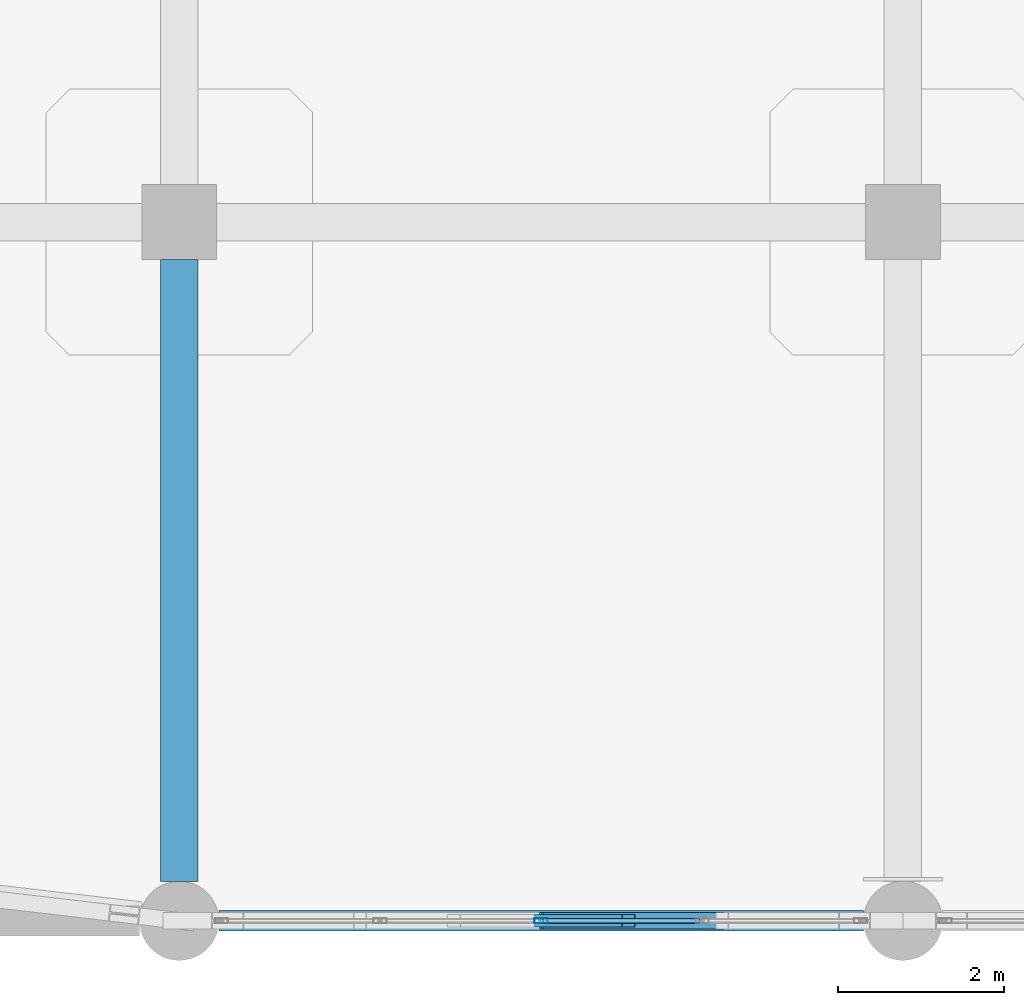
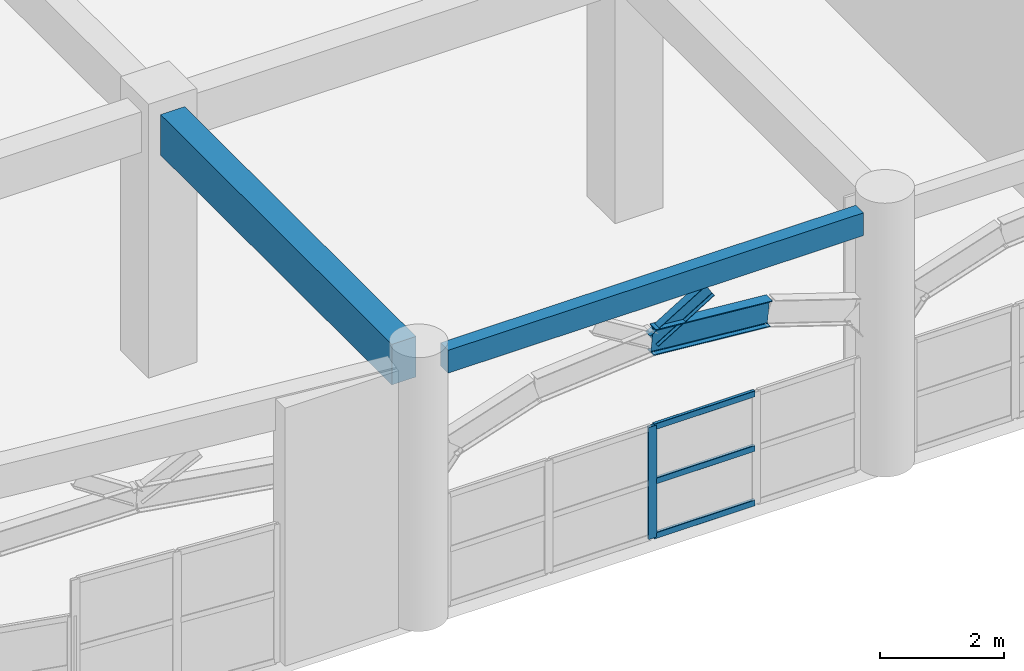
# One storey, part 6 of 114: 5 members, 3 beams, 1 element without a shape of its own.
"""IFC4 building model written with IfcOpenShell, lengths in metres."""

from ifc_helpers import new_model, si_unit, derived_unit, direction, frame, origin, origin_2d, place, context, subcontext, project, spatial, rectangle, hollow_rectangle, i_section, extrude, material, layer, layer_set, material_profile, profile_set, type_object, element, aggregate, save


model = new_model("IFC4")

# Units and contexts
model_context = context("Model", 3, precision=1e-05, world=origin(), true_north=direction((0.0, 1.0)))
body_context = subcontext(model_context, "Body", "Model", "MODEL_VIEW")
ifc_project = project(units=[si_unit("LENGTHUNIT", "METRE"), si_unit("AREAUNIT", "SQUARE_METRE"), si_unit("VOLUMEUNIT", "CUBIC_METRE"), si_unit("PLANEANGLEUNIT", "RADIAN"), si_unit("MASSUNIT", "GRAM", prefix="KILO"), derived_unit("THERMALTRANSMITTANCEUNIT", [(si_unit("MASSUNIT", "GRAM", prefix="KILO"), 1), (si_unit("TIMEUNIT", "SECOND"), -3), (si_unit("THERMODYNAMICTEMPERATUREUNIT", "KELVIN"), -1)])], contexts=[model_context])

# Site, building, storey
site_placement = place(None, origin())
site = spatial("IfcSite", under=ifc_project, at=site_placement, CompositionType="ELEMENT")
building_placement = place(site_placement, origin())
building = spatial("IfcBuilding", under=site, at=building_placement, Name="Qinzheling Arcade Emporium", CompositionType="ELEMENT")
storey_placement = place(building_placement, frame((0.0, 0.0, 6.0)))
storey = spatial("IfcBuildingStorey", under=building, at=storey_placement, Name="L02", CompositionType="ELEMENT", Elevation=6.0)

# Beam
ifc_material_1 = material(Name="Weathering steel Q355NH", Category="steel")
ifc_material_profile_1 = material_profile(ifc_material_1, i_section(OverallWidth=0.199951171875, OverallDepth=0.5, WebThickness=0.010009765625, FlangeThickness=0.01611328125, FilletRadius=0.01806640625, at=origin_2d()), Name="HN 500x200x10x16", Category="steel")
ifc_profile_set_1 = profile_set([ifc_material_profile_1], Name="Weathering steel Q355NH")
beam_type_1 = type_object("IfcBeamType", Name="Arcade End Arch Rib HN500 Q355NH", PredefinedType="BEAM", material=ifc_profile_set_1)
beam_1_placement = place(storey_placement, frame((30.449951171875, 0.0, 3.89990234375), z_axis=(0.9961697702, 0.0, -0.087440202076), x_axis=(0.0, 1.0, 0.0)))
element("IfcBeam", 1, at=beam_1_placement, inside=storey, type_object=beam_type_1, Name="Street Entrance Arch ARC-L02-S01-C04", PredefinedType="BEAM", context=body_context, shape_type="SweptSolid", body=[
    extrude(i_section(OverallWidth=0.199951171875, OverallDepth=0.5, WebThickness=0.010009765625, FlangeThickness=0.01611328125, FilletRadius=0.01806640625, at=origin_2d()), origin(), (0.0, 0.0, 1.0), 2.183349609375),
])

# Member
ifc_material_profile_2 = material_profile(ifc_material_1, i_section(OverallWidth=0.14990234375, OverallDepth=0.300048828125, WebThickness=0.006591796875, FlangeThickness=0.009033203125, FilletRadius=0.012939453125, at=origin_2d()), Name="HN 300x150x6.5x9", Category="steel")
ifc_profile_set_2 = profile_set([ifc_material_profile_2], Name="Weathering steel Q355NH")
member_type_1 = type_object("IfcMemberType", Name="Arcade Spandrel Web Chord HN300 Q355NH", PredefinedType="CHORD", material=ifc_profile_set_2)
member_1_placement = place(storey_placement, frame((30.449951171875, 0.0, 3.909912109375), z_axis=(0.853845673448, 0.0, 0.520526239428), x_axis=(0.0, 1.0, 0.0)))
element("IfcMember", 2, at=member_1_placement, inside=storey, type_object=member_type_1, Name="Street Spandrel Web Chord ASW-L02-S01-W2", PredefinedType="CHORD", context=body_context, shape_type="SweptSolid", body=[
    extrude(i_section(OverallWidth=0.14990234375, OverallDepth=0.300048828125, WebThickness=0.006591796875, FlangeThickness=0.009033203125, FilletRadius=0.012939453125, at=origin_2d()), origin(), (0.0, 0.0, 1.0), 1.229736328125),
])

# Curtain wall, members
ifc_material_2 = material(Name="Anodised aluminium and solar-control double glazing", Category="aluminium")
ifc_layer = layer(ifc_material_2, 0.159912109375, Name="Anodised aluminium and solar-control double glazing", Category="aluminium")
ifc_layer_set = layer_set([ifc_layer], Name="Anodised aluminium and solar-control double glazing")
curtain_wall_type = type_object("IfcCurtainWallType", Name="Arcade Portal Glazed Curtain Wall", PredefinedType="NOTDEFINED", material=ifc_layer_set)
curtain_wall_placement = place(storey_placement, origin())
curtain_wall = element("IfcCurtainWall", 3, at=curtain_wall_placement, inside=storey, type_object=curtain_wall_type, Name="Curtain Wall CW-L02-072", PredefinedType="NOTDEFINED")
ifc_material_3 = material(Name="Anodised aluminium 6063-T6", Category="aluminium")
ifc_material_profile_3 = material_profile(ifc_material_3, hollow_rectangle(XDim=0.06005859375, YDim=0.159912109375, WallThickness=0.00390625, InnerFilletRadius=0.00390625, OuterFilletRadius=0.008056640625, at=origin_2d()), Name="RHS 160x60x4", Category="aluminium")
ifc_profile_set_3 = profile_set([ifc_material_profile_3], Name="Anodised aluminium 6063-T6")
member_type_2 = type_object("IfcMemberType", Name="Curtain Wall Mullion RHS160x60", PredefinedType="MULLION", material=ifc_profile_set_3)
member_2_placement = place(storey_placement, frame((30.449951171875, 0.0, 0.0), z_axis=(0.0, 0.0, 1.0), x_axis=(0.0, -1.0, 0.0)))
member_2 = element("IfcMember", 4, at=member_2_placement, type_object=member_type_2, Name="CW05 mullion 3", PredefinedType="MULLION", context=body_context, shape_type="SweptSolid", body=[
    extrude(hollow_rectangle(XDim=0.06005859375, YDim=0.159912109375, WallThickness=0.00390625, InnerFilletRadius=0.00390625, OuterFilletRadius=0.008056640625, at=origin_2d()), origin(), (0.0, 0.0, 1.0), 2.2099609375),
])
ifc_material_profile_4 = material_profile(ifc_material_3, hollow_rectangle(XDim=0.06005859375, YDim=0.1201171875, WallThickness=0.00390625, InnerFilletRadius=0.00390625, OuterFilletRadius=0.008056640625, at=origin_2d()), Name="RHS 120x60x4", Category="aluminium")
ifc_profile_set_4 = profile_set([ifc_material_profile_4], Name="Anodised aluminium 6063-T6")
member_type_3 = type_object("IfcMemberType", Name="Curtain Wall Transom RHS120x60", PredefinedType="USERDEFINED", material=ifc_profile_set_4)
member_3_placement = place(storey_placement, frame((32.3564453125, 0.0, 0.030029296875), z_axis=(-1.0, 0.0, 0.0), x_axis=(0.0, -1.0, 0.0)))
member_3 = element("IfcMember", 5, at=member_3_placement, type_object=member_type_3, Name="CW05 transom 2.1", ObjectType="TRANSOM", PredefinedType="USERDEFINED", context=body_context, shape_type="SweptSolid", body=[
    extrude(hollow_rectangle(XDim=0.06005859375, YDim=0.1201171875, WallThickness=0.00390625, InnerFilletRadius=0.00390625, OuterFilletRadius=0.008056640625, at=origin_2d()), origin(), (0.0, 0.0, 1.0), 1.87646484375),
])
member_4_placement = place(storey_placement, frame((32.3564453125, 0.0, 1.10498046875), z_axis=(-1.0, 0.0, 0.0), x_axis=(0.0, -1.0, 0.0)))
member_4 = element("IfcMember", 6, at=member_4_placement, type_object=member_type_3, Name="CW05 transom 2.2", ObjectType="TRANSOM", PredefinedType="USERDEFINED", context=body_context, shape_type="SweptSolid", body=[
    extrude(hollow_rectangle(XDim=0.06005859375, YDim=0.1201171875, WallThickness=0.00390625, InnerFilletRadius=0.00390625, OuterFilletRadius=0.008056640625, at=origin_2d()), origin(), (0.0, 0.0, 1.0), 1.87646484375),
])
member_5_placement = place(storey_placement, frame((32.3564453125, 0.0, 2.179931640625), z_axis=(-1.0, 0.0, 0.0), x_axis=(0.0, -1.0, 0.0)))
member_5 = element("IfcMember", 7, at=member_5_placement, type_object=member_type_3, Name="CW05 transom 2.3", ObjectType="TRANSOM", PredefinedType="USERDEFINED", context=body_context, shape_type="SweptSolid", body=[
    extrude(hollow_rectangle(XDim=0.06005859375, YDim=0.1201171875, WallThickness=0.00390625, InnerFilletRadius=0.00390625, OuterFilletRadius=0.008056640625, at=origin_2d()), origin(), (0.0, 0.0, 1.0), 1.87646484375),
])
aggregate(curtain_wall, [member_2, member_3, member_4, member_5])

# Beams
ifc_material_4 = material(Name="Concrete C40", Category="concrete")
ifc_material_profile_5 = material_profile(ifc_material_4, rectangle(XDim=0.25, YDim=0.449951171875, at=origin_2d()), Name="RC 250x450", Category="concrete")
ifc_profile_set_5 = profile_set([ifc_material_profile_5], Name="Concrete C40")
beam_type_2 = type_object("IfcBeamType", Name="RC Opening Lintel Beam 250x450 C40", PredefinedType="LINTEL", material=ifc_profile_set_5)
beam_2_placement = place(storey_placement, frame((26.574951171875, 0.0, 4.89501953125), z_axis=(1.0, 0.0, 0.0), x_axis=(0.0, 1.0, 0.0)))
element("IfcBeam", 8, at=beam_2_placement, inside=storey, type_object=beam_type_2, Name="Beam BM-L02-X-A-4", PredefinedType="LINTEL", context=body_context, shape_type="SweptSolid", body=[
    extrude(rectangle(XDim=0.25, YDim=0.449951171875, at=origin_2d()), origin(), (0.0, 0.0, 1.0), 7.75),
])
ifc_material_profile_6 = material_profile(ifc_material_4, rectangle(XDim=0.449951171875, YDim=0.800048828125, at=origin_2d()), Name="RC 450x800", Category="concrete")
ifc_profile_set_6 = profile_set([ifc_material_profile_6], Name="Concrete C40")
beam_type_3 = type_object("IfcBeamType", Name="RC Primary Frame Beam 450x800 C40", PredefinedType="BEAM", material=ifc_profile_set_6)
beam_3_placement = place(storey_placement, frame((26.10009765625, 0.47509765625, 4.719970703125), z_axis=(0.0, 1.0, 0.0), x_axis=(-1.0, 0.0, 0.0)))
element("IfcBeam", 9, at=beam_3_placement, inside=storey, type_object=beam_type_3, Name="Beam BM-L02-Y-4-A", PredefinedType="BEAM", context=body_context, shape_type="SweptSolid", body=[
    extrude(rectangle(XDim=0.449951171875, YDim=0.800048828125, at=origin_2d()), origin(), (0.0, 0.0, 1.0), 7.474853515625),
])

save(model, "model.ifc")
